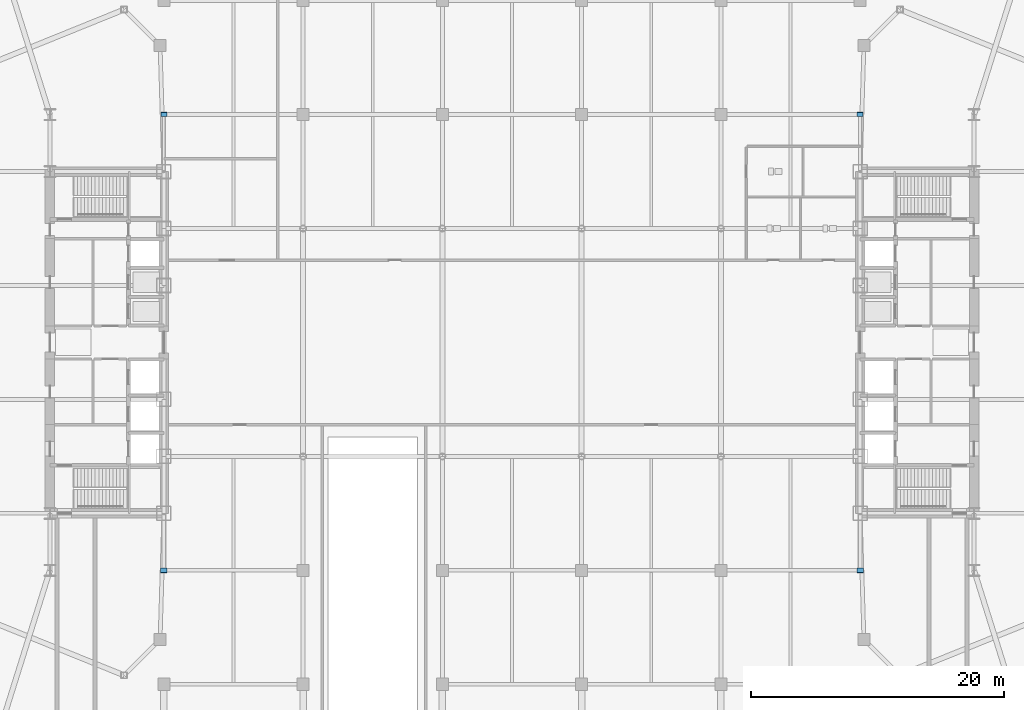
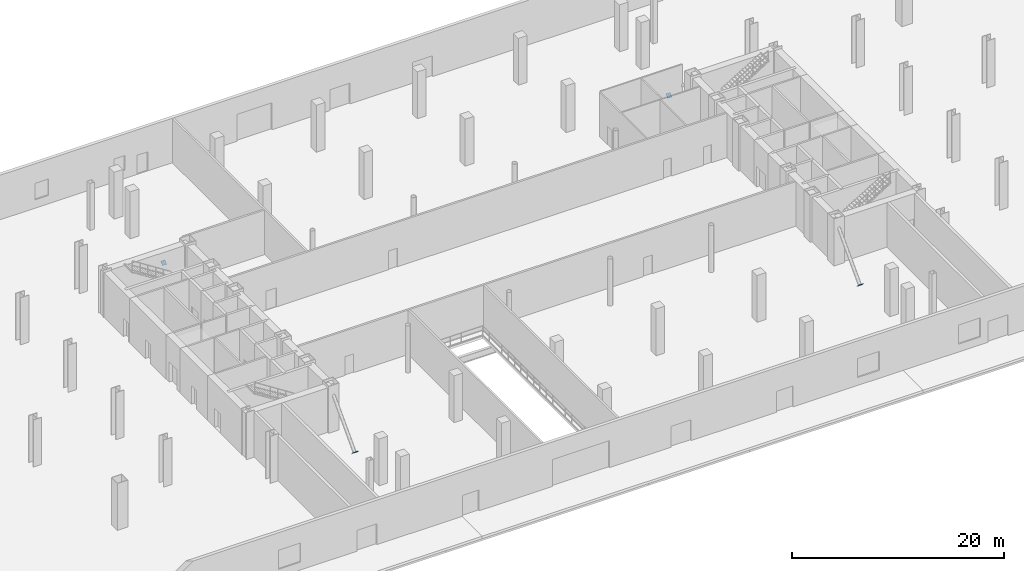
# One storey, part 18 of 21: 4 discrete accessories.
"""IFC4 building model written with IfcOpenShell, lengths in metres."""

from ifc_helpers import new_model, si_unit, direction, frame, origin, origin_2d, place, context, subcontext, project, spatial, rectangle, extrude, material, type_object, element, save


model = new_model("IFC4")

# Units and contexts
model_context = context("Model", 3, precision=1e-05, world=origin(), true_north=direction((0.0, 1.0)))
body_context = subcontext(model_context, "Body", "Model", "MODEL_VIEW")
ifc_project = project(units=[si_unit("LENGTHUNIT", "METRE"), si_unit("AREAUNIT", "SQUARE_METRE"), si_unit("VOLUMEUNIT", "CUBIC_METRE"), si_unit("PLANEANGLEUNIT", "RADIAN"), si_unit("MASSUNIT", "GRAM", prefix="KILO")], contexts=[model_context])

# Site, building, storey
site_placement = place(None, origin())
site = spatial("IfcSite", under=ifc_project, at=site_placement, CompositionType="ELEMENT")
building_placement = place(site_placement, origin())
building = spatial("IfcBuilding", under=site, at=building_placement, Name="Seokmaru Belvedere", CompositionType="ELEMENT")
storey_placement = place(building_placement, origin())
storey = spatial("IfcBuildingStorey", under=building, at=storey_placement, Name="L00", CompositionType="ELEMENT", Elevation=0.0)

# Discrete accessories
ifc_material = material(Name="Steel SM355 (355 MPa)", Category="steel")
discrete_accessory_type_1 = type_object("IfcDiscreteAccessoryType", Name="Brace Base Plate 470x470x30", PredefinedType="USERDEFINED", material=ifc_material)
for number, where, z_axis, x_axis, name in (
    (1, (-27.5, 18.0, 0.0), (0.0, 0.690668977589, -0.723171047123), (-1.0, 0.0, 0.0), "L00 Podium Portal Tie Strut WN Base Plate"),
    (2, (27.5, 18.0, 0.0), (0.0, 0.690668977589, -0.723171047123), (-1.0, 0.0, 0.0), "L00 Podium Portal Tie Strut EN Base Plate"),
):
    element("IfcDiscreteAccessory", number, at=place(storey_placement, frame(where, z_axis=z_axis, x_axis=x_axis)), inside=storey, type_object=discrete_accessory_type_1, Name=name, ObjectType="BRACE_BASE_PLATE", PredefinedType="USERDEFINED", context=body_context, shape_type="SweptSolid", body=[
        extrude(rectangle(XDim=0.469970703125, YDim=0.469970703125, at=origin_2d()), origin(), (0.0, 0.0, 1.0), 0.030029296875),
    ])
discrete_accessory_type_2 = type_object("IfcDiscreteAccessoryType", Name="Brace Base Plate 520x520x30", PredefinedType="USERDEFINED", material=ifc_material)
for number, where, z_axis, x_axis, name in (
    (3, (-27.5, -18.0, 0.0), (0.0, -0.690668977589, -0.723171047123), (1.0, 0.0, 0.0), "L00 Podium Portal Wind Brace WS Base Plate"),
    (4, (27.5, -18.0, 0.0), (0.0, -0.690668977589, -0.723171047123), (1.0, 0.0, 0.0), "L00 Podium Portal Wind Brace ES Base Plate"),
):
    element("IfcDiscreteAccessory", number, at=place(storey_placement, frame(where, z_axis=z_axis, x_axis=x_axis)), inside=storey, type_object=discrete_accessory_type_2, Name=name, ObjectType="BRACE_BASE_PLATE", PredefinedType="USERDEFINED", context=body_context, shape_type="SweptSolid", body=[
        extrude(rectangle(XDim=0.52001953125, YDim=0.52001953125, at=origin_2d()), origin(), (0.0, 0.0, 1.0), 0.030029296875),
    ])

save(model, "model.ifc")
